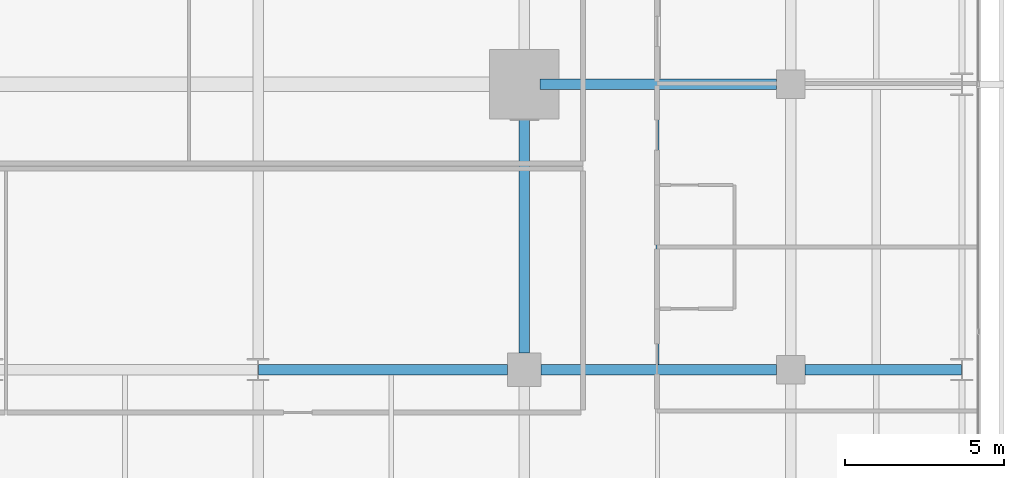
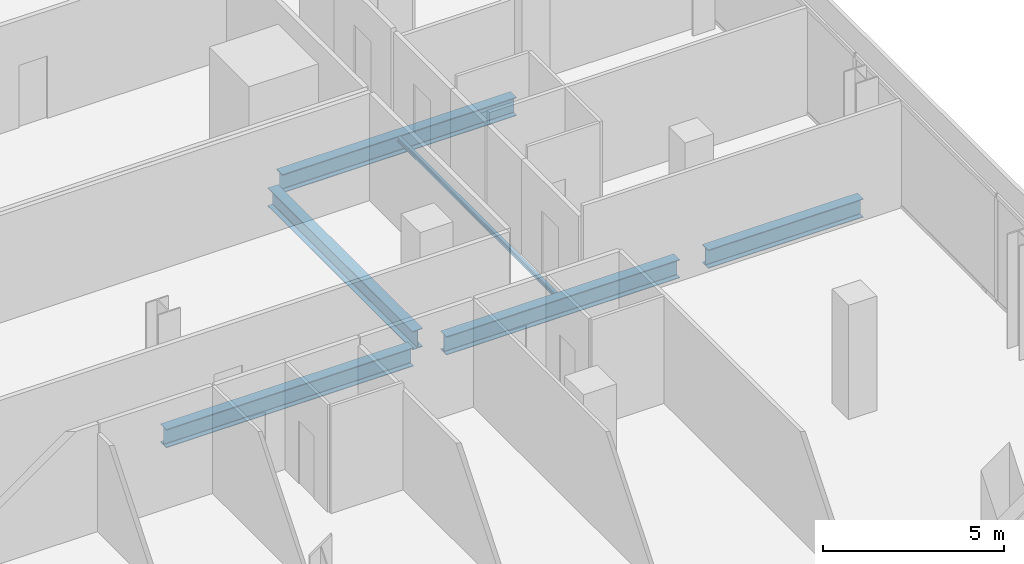
# One storey, part 18 of 40: 6 beams.
"""IFC4 building model written with IfcOpenShell, lengths in metres."""

from ifc_helpers import new_model, si_unit, direction, frame, origin, origin_2d, place, context, subcontext, project, spatial, i_section, extrude, material, material_profile, profile_set, type_object, element, save


model = new_model("IFC4")

# Units and contexts
model_context = context("Model", 3, precision=1e-05, world=origin(), true_north=direction((0.0, 1.0)))
body_context = subcontext(model_context, "Body", "Model", "MODEL_VIEW")
ifc_project = project(units=[si_unit("LENGTHUNIT", "METRE"), si_unit("AREAUNIT", "SQUARE_METRE"), si_unit("VOLUMEUNIT", "CUBIC_METRE"), si_unit("PLANEANGLEUNIT", "RADIAN"), si_unit("MASSUNIT", "GRAM", prefix="KILO")], contexts=[model_context])

# Site, building, storey
site_placement = place(None, origin())
site = spatial("IfcSite", under=ifc_project, at=site_placement, CompositionType="ELEMENT")
building_placement = place(site_placement, origin())
building = spatial("IfcBuilding", under=site, at=building_placement, Name="Maruvema Waterfront Hotel and Observation Tower", CompositionType="ELEMENT")
storey_placement = place(building_placement, frame((0.0, 0.0, 50.050048828125)))
storey = spatial("IfcBuildingStorey", under=building, at=storey_placement, Name="L11", CompositionType="ELEMENT", Elevation=50.050048828125)

# Beams
ifc_material_1 = material(Name="Steel ASTM A572 Grade 50", Category="steel")
ifc_material_profile_1 = material_profile(ifc_material_1, i_section(OverallWidth=0.326904296875, OverallDepth=0.6220703125, WebThickness=0.015380859375, FlangeThickness=0.0244140625, FilletRadius=0.01806640625, at=origin_2d()), Name="W610x195.0")
ifc_profile_set_1 = profile_set([ifc_material_profile_1], Name="Steel ASTM A572 Grade 50")
beam_type_1 = type_object("IfcBeamType", Name="Primary Floor Girder W610x195.0", PredefinedType="BEAM", material=ifc_profile_set_1)
beam_1_placement = place(storey_placement, frame((42.013916015625, 18.0, -0.551025390625), z_axis=(1.0, 0.0, 0.0), x_axis=(0.0, 1.0, 0.0)))
element("IfcBeam", 1, at=beam_1_placement, inside=storey, type_object=beam_type_1, Name="L11 Floor Girder EW-17", PredefinedType="BEAM", context=body_context, shape_type="SweptSolid", body=[
    extrude(i_section(OverallWidth=0.326904296875, OverallDepth=0.6220703125, WebThickness=0.015380859375, FlangeThickness=0.0244140625, FilletRadius=0.01806640625, at=origin_2d()), origin(), (0.0, 0.0, 1.0), 7.861083984375),
])
beam_2_placement = place(storey_placement, frame((50.925048828125, 18.0, -0.551025390625), z_axis=(1.0, 0.0, 0.0), x_axis=(0.0, 1.0, 0.0)))
element("IfcBeam", 2, at=beam_2_placement, inside=storey, type_object=beam_type_1, Name="L11 Floor Girder EW-18", PredefinedType="BEAM", context=body_context, shape_type="SweptSolid", body=[
    extrude(i_section(OverallWidth=0.326904296875, OverallDepth=0.6220703125, WebThickness=0.015380859375, FlangeThickness=0.0244140625, FilletRadius=0.01806640625, at=origin_2d()), origin(), (0.0, 0.0, 1.0), 7.425048828125),
])
beam_3_placement = place(storey_placement, frame((59.25, 18.0, -0.551025390625), z_axis=(1.0, 0.0, 0.0), x_axis=(0.0, 1.0, 0.0)))
element("IfcBeam", 3, at=beam_3_placement, inside=storey, type_object=beam_type_1, Name="L11 Floor Girder EW-19", PredefinedType="BEAM", context=body_context, shape_type="SweptSolid", body=[
    extrude(i_section(OverallWidth=0.326904296875, OverallDepth=0.6220703125, WebThickness=0.015380859375, FlangeThickness=0.0244140625, FilletRadius=0.01806640625, at=origin_2d()), origin(), (0.0, 0.0, 1.0), 4.93603515625),
])
beam_4_placement = place(storey_placement, frame((50.89990234375, 27.0, -0.551025390625), z_axis=(1.0, 0.0, 0.0), x_axis=(0.0, 1.0, 0.0)))
element("IfcBeam", 4, at=beam_4_placement, inside=storey, type_object=beam_type_1, Name="L11 Floor Girder EW-23", PredefinedType="BEAM", context=body_context, shape_type="SweptSolid", body=[
    extrude(i_section(OverallWidth=0.326904296875, OverallDepth=0.6220703125, WebThickness=0.015380859375, FlangeThickness=0.0244140625, FilletRadius=0.01806640625, at=origin_2d()), origin(), (0.0, 0.0, 1.0), 7.4501953125),
])
beam_5_placement = place(storey_placement, frame((50.39990234375, 18.52490234375, -0.551025390625), z_axis=(0.0, 1.0, 0.0), x_axis=(-1.0, 0.0, 0.0)))
element("IfcBeam", 5, at=beam_5_placement, inside=storey, type_object=beam_type_1, Name="L11 Floor Girder NS-24", PredefinedType="BEAM", context=body_context, shape_type="SweptSolid", body=[
    extrude(i_section(OverallWidth=0.326904296875, OverallDepth=0.6220703125, WebThickness=0.015380859375, FlangeThickness=0.0244140625, FilletRadius=0.01806640625, at=origin_2d()), origin(), (0.0, 0.0, 1.0), 7.97509765625),
])
ifc_material_2 = material(Name="Steel ASTM A572 Grade 50", Category="steel")
ifc_material_profile_2 = material_profile(ifc_material_2, i_section(OverallWidth=0.10009765625, OverallDepth=0.153076171875, WebThickness=0.005859375, FlangeThickness=0.007080078125, FilletRadius=0.008056640625, at=origin_2d()), Name="W150x18.0")
ifc_profile_set_2 = profile_set([ifc_material_profile_2], Name="Steel ASTM A572 Grade 50")
beam_type_2 = type_object("IfcBeamType", Name="Secondary Floor Joist W150x18.0", PredefinedType="JOIST", material=ifc_profile_set_2)
beam_6_placement = place(storey_placement, frame((54.60009765625, 18.16357421875, -0.316650390625), z_axis=(0.0, 1.0, 0.0), x_axis=(-1.0, 0.0, 0.0)))
element("IfcBeam", 6, at=beam_6_placement, inside=storey, type_object=beam_type_2, Name="L11 Secondary Floor Joist JS-18", PredefinedType="JOIST", context=body_context, shape_type="SweptSolid", body=[
    extrude(i_section(OverallWidth=0.10009765625, OverallDepth=0.153076171875, WebThickness=0.005859375, FlangeThickness=0.007080078125, FilletRadius=0.008056640625, at=origin_2d()), origin(), (0.0, 0.0, 1.0), 8.6728515625),
])

save(model, "model.ifc")
